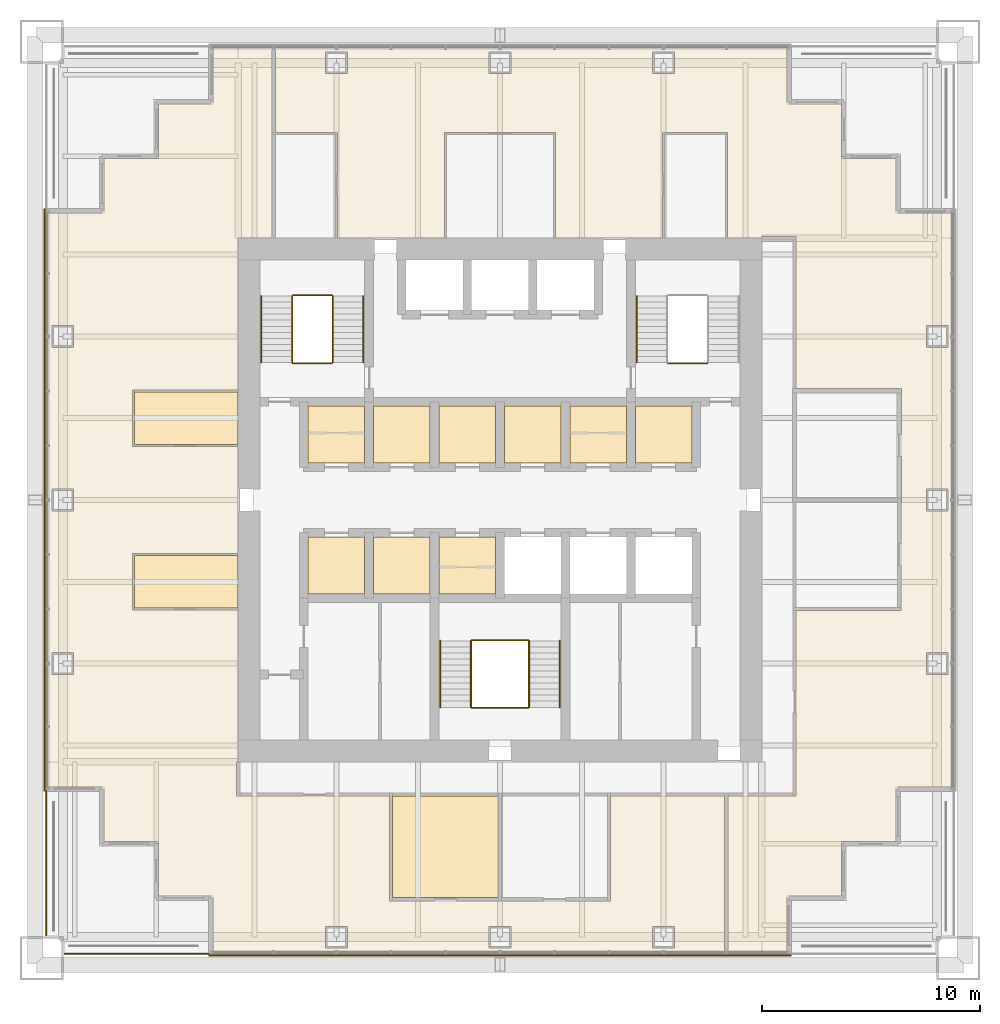
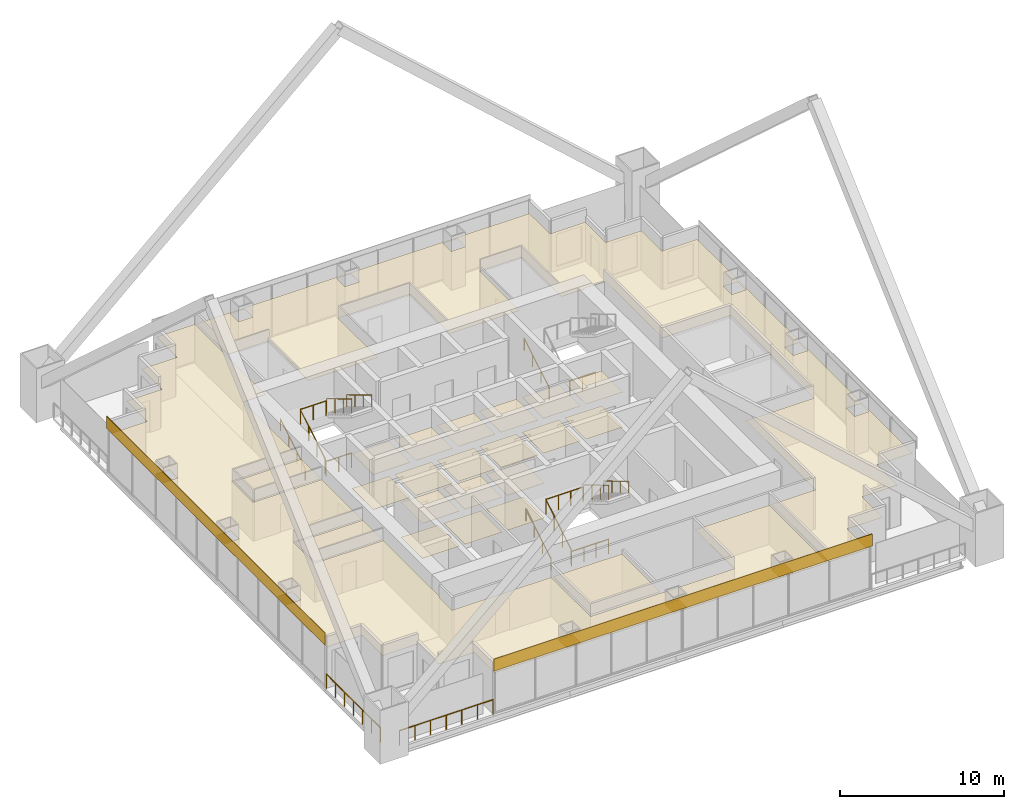
# One storey, part 17 of 18: 25 coverings, 16 railings.
"""IFC4 building model written with IfcOpenShell, lengths in metres."""

from ifc_helpers import new_model, si_unit, direction, frame, origin, origin_2d, place, context, subcontext, project, spatial, polyline, rectangle, circle, outline, extrude, material, layer, layer_set, type_object, element, save


model = new_model("IFC4")

# Units and contexts
model_context = context("Model", 3, precision=1e-05, world=origin(), true_north=direction((0.0, 1.0)))
body_context = subcontext(model_context, "Body", "Model", "MODEL_VIEW")
ifc_project = project(units=[si_unit("LENGTHUNIT", "METRE"), si_unit("AREAUNIT", "SQUARE_METRE"), si_unit("VOLUMEUNIT", "CUBIC_METRE"), si_unit("PLANEANGLEUNIT", "RADIAN"), si_unit("MASSUNIT", "GRAM", prefix="KILO")], contexts=[model_context])

# Site, building, storey
site_placement = place(None, origin())
site = spatial("IfcSite", under=ifc_project, at=site_placement, CompositionType="ELEMENT")
building_placement = place(site_placement, origin())
building = spatial("IfcBuilding", under=site, at=building_placement, Name="Tarangal Relay Tower", CompositionType="ELEMENT")
storey_placement = place(building_placement, frame((0.0, 0.0, 295.89990234375)))
storey = spatial("IfcBuildingStorey", under=building, at=storey_placement, Name="L65", CompositionType="ELEMENT", Elevation=295.89990234375)

# Coverings
ifc_material_1 = material(Name="Anti-static vinyl flooring", Category="plastic")
ifc_layer_1 = layer(ifc_material_1, 0.010009765625)
ifc_layer_set_1 = layer_set([ifc_layer_1], Name="Anti-static vinyl floor")
covering_type_1 = type_object("IfcCoveringType", Name="Anti-static vinyl floor", PredefinedType="FLOORING", material=ifc_layer_set_1)
covering_1_placement = place(storey_placement, origin())
element("IfcCovering", 1, at=covering_1_placement, inside=storey, type_object=covering_type_1, Name="Floor finish FL1 L65-D1", PredefinedType="FLOORING", context=body_context, shape_type="SweptSolid", body=[
    extrude(outline(polyline([(-8.800048828125, 1.699951171875), (-6.199951171875, 1.699951171875), (-6.199951171875, 4.300048828125), (-8.800048828125, 4.300048828125), (-8.800048828125, 1.699951171875)])), origin(), (0.0, 0.0, 1.0), 0.010009765625),
])
covering_2_placement = place(storey_placement, origin())
element("IfcCovering", 2, at=covering_2_placement, inside=storey, type_object=covering_type_1, Name="Floor finish FL1 L65-D2", PredefinedType="FLOORING", context=body_context, shape_type="SweptSolid", body=[
    extrude(outline(polyline([(-5.800048828125, 1.699951171875), (-3.199951171875, 1.699951171875), (-3.199951171875, 4.300048828125), (-5.800048828125, 4.300048828125), (-5.800048828125, 1.699951171875)])), origin(), (0.0, 0.0, 1.0), 0.010009765625),
])
covering_3_placement = place(storey_placement, origin())
element("IfcCovering", 3, at=covering_3_placement, inside=storey, type_object=covering_type_1, Name="Floor finish FL1 L65-D3", PredefinedType="FLOORING", context=body_context, shape_type="SweptSolid", body=[
    extrude(outline(polyline([(-2.800048828125, 1.699951171875), (-0.199951171875, 1.699951171875), (-0.199951171875, 4.300048828125), (-2.800048828125, 4.300048828125), (-2.800048828125, 1.699951171875)])), origin(), (0.0, 0.0, 1.0), 0.010009765625),
])
covering_4_placement = place(storey_placement, origin())
element("IfcCovering", 4, at=covering_4_placement, inside=storey, type_object=covering_type_1, Name="Floor finish FL1 L65-T1", PredefinedType="FLOORING", context=body_context, shape_type="SweptSolid", body=[
    extrude(outline(polyline([(0.199951171875, 1.699951171875), (2.800048828125, 1.699951171875), (2.800048828125, 4.300048828125), (0.199951171875, 4.300048828125), (0.199951171875, 1.699951171875)])), origin(), (0.0, 0.0, 1.0), 0.010009765625),
])
covering_5_placement = place(storey_placement, origin())
element("IfcCovering", 5, at=covering_5_placement, inside=storey, type_object=covering_type_1, Name="Floor finish FL1 L65-T2", PredefinedType="FLOORING", context=body_context, shape_type="SweptSolid", body=[
    extrude(outline(polyline([(3.199951171875, 1.699951171875), (5.800048828125, 1.699951171875), (5.800048828125, 4.300048828125), (3.199951171875, 4.300048828125), (3.199951171875, 1.699951171875)])), origin(), (0.0, 0.0, 1.0), 0.010009765625),
])
covering_6_placement = place(storey_placement, origin())
element("IfcCovering", 6, at=covering_6_placement, inside=storey, type_object=covering_type_1, Name="Floor finish FL1 L65-T3", PredefinedType="FLOORING", context=body_context, shape_type="SweptSolid", body=[
    extrude(outline(polyline([(6.199951171875, 1.699951171875), (8.800048828125, 1.699951171875), (8.800048828125, 4.300048828125), (6.199951171875, 4.300048828125), (6.199951171875, 1.699951171875)])), origin(), (0.0, 0.0, 1.0), 0.010009765625),
])
covering_7_placement = place(storey_placement, origin())
element("IfcCovering", 7, at=covering_7_placement, inside=storey, type_object=covering_type_1, Name="Floor finish FL1 L65-S1", PredefinedType="FLOORING", context=body_context, shape_type="SweptSolid", body=[
    extrude(outline(polyline([(-8.800048828125, -4.300048828125), (-6.199951171875, -4.300048828125), (-6.199951171875, -1.699951171875), (-8.800048828125, -1.699951171875), (-8.800048828125, -4.300048828125)])), origin(), (0.0, 0.0, 1.0), 0.010009765625),
])
covering_8_placement = place(storey_placement, origin())
element("IfcCovering", 8, at=covering_8_placement, inside=storey, type_object=covering_type_1, Name="Floor finish FL1 L65-S2", PredefinedType="FLOORING", context=body_context, shape_type="SweptSolid", body=[
    extrude(outline(polyline([(-5.800048828125, -4.300048828125), (-3.199951171875, -4.300048828125), (-3.199951171875, -1.699951171875), (-5.800048828125, -1.699951171875), (-5.800048828125, -4.300048828125)])), origin(), (0.0, 0.0, 1.0), 0.010009765625),
])
covering_9_placement = place(storey_placement, origin())
element("IfcCovering", 9, at=covering_9_placement, inside=storey, type_object=covering_type_1, Name="Floor finish FL1 L65-S3", PredefinedType="FLOORING", context=body_context, shape_type="SweptSolid", body=[
    extrude(outline(polyline([(-2.800048828125, -4.300048828125), (-0.199951171875, -4.300048828125), (-0.199951171875, -1.699951171875), (-2.800048828125, -1.699951171875), (-2.800048828125, -4.300048828125)])), origin(), (0.0, 0.0, 1.0), 0.010009765625),
])
ifc_material_2 = material(Name="Black anodised aluminium cladding", Category="aluminium")
ifc_layer_2 = layer(ifc_material_2, 0.050048828125)
ifc_layer_set_2 = layer_set([ifc_layer_2], Name="Black metal spandrel band")
covering_type_2 = type_object("IfcCoveringType", Name="Black metal spandrel band", PredefinedType="CLADDING", material=ifc_layer_set_2)
for number, where, z_axis, x_axis, name in (
    (10, (0.0, -20.875, 3.250244140625), (0.0, 0.0, 1.0), (-1.0, 0.0, 0.0), "Spandrel band SB1 S L65"),
    (11, (-20.875, 0.0, 3.250244140625), (0.0, 0.0, 1.0), (0.0, 1.0, 0.0), "Spandrel band SB1 W L65"),
):
    element("IfcCovering", number, at=place(storey_placement, frame(where, z_axis=z_axis, x_axis=x_axis)), inside=storey, type_object=covering_type_2, Name=name, PredefinedType="CLADDING", context=body_context, shape_type="SweptSolid", body=[
        extrude(rectangle(XDim=26.699951171875, YDim=0.050048828125, at=origin_2d()), origin(), (0.0, 0.0, 1.0), 0.89990234375),
    ])

# Railings
ifc_material_3 = material(Name="Steel guard, black finish", Category="steel")
railing_type_1 = type_object("IfcRailingType", Name="Stair guard 1100", PredefinedType="GUARDRAIL", material=ifc_material_3)
railing_1_placement = place(storey_placement, frame((-9.530029296875, 6.300048828125, 0.166748046875)))
element("IfcRailing", 12, at=railing_1_placement, inside=storey, type_object=railing_type_1, Name="Stair ST-A guard GR1 L65 flight 1", PredefinedType="GUARDRAIL", context=body_context, shape_type="SweptSolid", body=[
    extrude(circle(Radius=0.02392578125, at=origin_2d()), frame((0.0, 0.0, 1.076171875), z_axis=(0.0, 0.85685617095, 0.515555527858), x_axis=(-1.0, 0.0, 0.0)), (0.0, 0.0, 1.0), 3.555908203125),
    extrude(circle(Radius=0.02099609375, at=origin_2d()), origin(), (0.0, 0.0, 1.0), 1.052001953125),
    extrude(circle(Radius=0.02099609375, at=origin_2d()), frame((0.0, 1.015625, 0.611083984375)), (0.0, 0.0, 1.0), 1.052001953125),
    extrude(circle(Radius=0.02099609375, at=origin_2d()), frame((0.0, 2.03125, 1.22216796875)), (0.0, 0.0, 1.0), 1.052001953125),
    extrude(circle(Radius=0.02099609375, at=origin_2d()), frame((0.0, 3.046875, 1.833251953125)), (0.0, 0.0, 1.0), 1.052001953125),
])
railing_2_placement = place(storey_placement, frame((-7.669921875, 9.346923828125, 2.166748046875)))
element("IfcRailing", 13, at=railing_2_placement, inside=storey, type_object=railing_type_1, Name="Stair ST-A guard GR1 L65 flight 2", PredefinedType="GUARDRAIL", context=body_context, shape_type="SweptSolid", body=[
    extrude(circle(Radius=0.02392578125, at=origin_2d()), frame((0.0, 0.0, 1.076171875), z_axis=(0.0, -0.85685617095, 0.515555527858), x_axis=(1.0, 0.0, 0.0)), (0.0, 0.0, 1.0), 3.555908203125),
    extrude(circle(Radius=0.02099609375, at=origin_2d()), origin(), (0.0, 0.0, 1.0), 1.052001953125),
    extrude(circle(Radius=0.02099609375, at=origin_2d()), frame((0.0, -1.015625, 0.611083984375)), (0.0, 0.0, 1.0), 1.052001953125),
    extrude(circle(Radius=0.02099609375, at=origin_2d()), frame((0.0, -2.03125, 1.22216796875)), (0.0, 0.0, 1.0), 1.052001953125),
    extrude(circle(Radius=0.02099609375, at=origin_2d()), frame((0.0, -3.046875, 1.833251953125)), (0.0, 0.0, 1.0), 1.052001953125),
])
for number, where, name in (
    (14, (-9.5, 6.27001953125, 0.0), "Stair ST-A landing guard GR1 L65"),
    (15, (-9.5, 9.376953125, 2.0), "Stair ST-A landing guard GR1 L65"),
    (16, (7.699951171875, 6.27001953125, 0.0), "Stair ST-B landing guard GR1 L65"),
):
    element("IfcRailing", number, at=place(storey_placement, frame(where)), inside=storey, type_object=railing_type_1, Name=name, PredefinedType="GUARDRAIL", context=body_context, shape_type="SweptSolid", body=[
        extrude(circle(Radius=0.02392578125, at=origin_2d()), frame((0.0, 0.0, 1.076171875), z_axis=(1.0, 0.0, 0.0), x_axis=(0.0, 1.0, 0.0)), (0.0, 0.0, 1.0), 1.800048828125),
        extrude(circle(Radius=0.02099609375, at=origin_2d()), origin(), (0.0, 0.0, 1.0), 1.052001953125),
        extrude(circle(Radius=0.02099609375, at=origin_2d()), frame((0.89990234375, 0.0, 0.0)), (0.0, 0.0, 1.0), 1.052001953125),
        extrude(circle(Radius=0.02099609375, at=origin_2d()), frame((1.800048828125, 0.0, 0.0)), (0.0, 0.0, 1.0), 1.052001953125),
    ])
railing_3_placement = place(storey_placement, frame((-1.330078125, -9.5, 0.166748046875)))
element("IfcRailing", 17, at=railing_3_placement, inside=storey, type_object=railing_type_1, Name="Stair ST-C guard GR1 L65 flight 1", PredefinedType="GUARDRAIL", context=body_context, shape_type="SweptSolid", body=[
    extrude(circle(Radius=0.02392578125, at=origin_2d()), frame((0.0, 0.0, 1.076171875), z_axis=(0.0, 0.856874418557, 0.515525199018), x_axis=(-1.0, 0.0, 0.0)), (0.0, 0.0, 1.0), 3.55615234375),
    extrude(circle(Radius=0.02099609375, at=origin_2d()), origin(), (0.0, 0.0, 1.0), 1.052001953125),
    extrude(circle(Radius=0.02099609375, at=origin_2d()), frame((0.0, 1.015625, 0.611083984375)), (0.0, 0.0, 1.0), 1.052001953125),
    extrude(circle(Radius=0.02099609375, at=origin_2d()), frame((0.0, 2.031494140625, 1.22216796875)), (0.0, 0.0, 1.0), 1.052001953125),
    extrude(circle(Radius=0.02099609375, at=origin_2d()), frame((0.0, 3.047119140625, 1.833251953125)), (0.0, 0.0, 1.0), 1.052001953125),
])
railing_4_placement = place(storey_placement, frame((1.330078125, -6.452880859375, 2.166748046875)))
element("IfcRailing", 18, at=railing_4_placement, inside=storey, type_object=railing_type_1, Name="Stair ST-C guard GR1 L65 flight 2", PredefinedType="GUARDRAIL", context=body_context, shape_type="SweptSolid", body=[
    extrude(circle(Radius=0.02392578125, at=origin_2d()), frame((0.0, 0.0, 1.076171875), z_axis=(0.0, -0.856874418557, 0.515525199018), x_axis=(1.0, 0.0, 0.0)), (0.0, 0.0, 1.0), 3.55615234375),
    extrude(circle(Radius=0.02099609375, at=origin_2d()), origin(), (0.0, 0.0, 1.0), 1.052001953125),
    extrude(circle(Radius=0.02099609375, at=origin_2d()), frame((0.0, -1.015625, 0.611083984375)), (0.0, 0.0, 1.0), 1.052001953125),
    extrude(circle(Radius=0.02099609375, at=origin_2d()), frame((0.0, -2.031494140625, 1.22216796875)), (0.0, 0.0, 1.0), 1.052001953125),
    extrude(circle(Radius=0.02099609375, at=origin_2d()), frame((0.0, -3.047119140625, 1.833251953125)), (0.0, 0.0, 1.0), 1.052001953125),
])
for number, where, name in (
    (19, (-1.300048828125, -9.530029296875, 0.0), "Stair ST-C landing guard GR1 L65"),
    (20, (-1.300048828125, -6.423095703125, 2.0), "Stair ST-C landing guard GR1 L65"),
):
    element("IfcRailing", number, at=place(storey_placement, frame(where)), inside=storey, type_object=railing_type_1, Name=name, PredefinedType="GUARDRAIL", context=body_context, shape_type="SweptSolid", body=[
        extrude(circle(Radius=0.02392578125, at=origin_2d()), frame((0.0, 0.0, 1.076171875), z_axis=(1.0, 0.0, 0.0), x_axis=(0.0, 1.0, 0.0)), (0.0, 0.0, 1.0), 2.60009765625),
        extrude(circle(Radius=0.02099609375, at=origin_2d()), origin(), (0.0, 0.0, 1.0), 1.052001953125),
        extrude(circle(Radius=0.02099609375, at=origin_2d()), frame((0.86669921875, 0.0, 0.0)), (0.0, 0.0, 1.0), 1.052001953125),
        extrude(circle(Radius=0.02099609375, at=origin_2d()), frame((1.7333984375, 0.0, 0.0)), (0.0, 0.0, 1.0), 1.052001953125),
        extrude(circle(Radius=0.02099609375, at=origin_2d()), frame((2.60009765625, 0.0, 0.0)), (0.0, 0.0, 1.0), 1.052001953125),
    ])
ifc_material_4 = material(Name="Steel handrail, black finish", Category="steel")
railing_type_2 = type_object("IfcRailingType", Name="Stair handrail 900", PredefinedType="HANDRAIL", material=ifc_material_4)
railing_5_placement = place(storey_placement, frame((-10.93994140625, 6.300048828125, 0.166748046875)))
element("IfcRailing", 21, at=railing_5_placement, inside=storey, type_object=railing_type_2, Name="Stair ST-A handrail HR1 L65 flight 1", PredefinedType="HANDRAIL", context=body_context, shape_type="SweptSolid", body=[
    extrude(circle(Radius=0.02392578125, at=origin_2d()), frame((0.0, 0.0, 0.8759765625), z_axis=(0.0, 0.85685617095, 0.515555527858), x_axis=(-1.0, 0.0, 0.0)), (0.0, 0.0, 1.0), 3.555908203125),
    extrude(circle(Radius=0.02099609375, at=origin_2d()), origin(), (0.0, 0.0, 1.0), 0.851806640625),
    extrude(circle(Radius=0.02099609375, at=origin_2d()), frame((0.0, 1.015625, 0.611083984375)), (0.0, 0.0, 1.0), 0.851806640625),
    extrude(circle(Radius=0.02099609375, at=origin_2d()), frame((0.0, 2.03125, 1.22216796875)), (0.0, 0.0, 1.0), 0.851806640625),
    extrude(circle(Radius=0.02099609375, at=origin_2d()), frame((0.0, 3.046875, 1.833251953125)), (0.0, 0.0, 1.0), 0.851806640625),
])
railing_6_placement = place(storey_placement, frame((-6.260009765625, 9.346923828125, 2.166748046875)))
element("IfcRailing", 22, at=railing_6_placement, inside=storey, type_object=railing_type_2, Name="Stair ST-A handrail HR1 L65 flight 2", PredefinedType="HANDRAIL", context=body_context, shape_type="SweptSolid", body=[
    extrude(circle(Radius=0.02392578125, at=origin_2d()), frame((0.0, 0.0, 0.8759765625), z_axis=(0.0, -0.85685617095, 0.515555527858), x_axis=(1.0, 0.0, 0.0)), (0.0, 0.0, 1.0), 3.555908203125),
    extrude(circle(Radius=0.02099609375, at=origin_2d()), origin(), (0.0, 0.0, 1.0), 0.851806640625),
    extrude(circle(Radius=0.02099609375, at=origin_2d()), frame((0.0, -1.015625, 0.611083984375)), (0.0, 0.0, 1.0), 0.851806640625),
    extrude(circle(Radius=0.02099609375, at=origin_2d()), frame((0.0, -2.03125, 1.22216796875)), (0.0, 0.0, 1.0), 0.851806640625),
    extrude(circle(Radius=0.02099609375, at=origin_2d()), frame((0.0, -3.046875, 1.833251953125)), (0.0, 0.0, 1.0), 0.851806640625),
])
railing_7_placement = place(storey_placement, frame((6.260009765625, 6.300048828125, 0.166748046875)))
element("IfcRailing", 23, at=railing_7_placement, inside=storey, type_object=railing_type_2, Name="Stair ST-B handrail HR1 L65 flight 1", PredefinedType="HANDRAIL", context=body_context, shape_type="SweptSolid", body=[
    extrude(circle(Radius=0.02392578125, at=origin_2d()), frame((0.0, 0.0, 0.8759765625), z_axis=(0.0, 0.85685617095, 0.515555527858), x_axis=(-1.0, 0.0, 0.0)), (0.0, 0.0, 1.0), 3.555908203125),
    extrude(circle(Radius=0.02099609375, at=origin_2d()), origin(), (0.0, 0.0, 1.0), 0.851806640625),
    extrude(circle(Radius=0.02099609375, at=origin_2d()), frame((0.0, 1.015625, 0.611083984375)), (0.0, 0.0, 1.0), 0.851806640625),
    extrude(circle(Radius=0.02099609375, at=origin_2d()), frame((0.0, 2.03125, 1.22216796875)), (0.0, 0.0, 1.0), 0.851806640625),
    extrude(circle(Radius=0.02099609375, at=origin_2d()), frame((0.0, 3.046875, 1.833251953125)), (0.0, 0.0, 1.0), 0.851806640625),
])
railing_8_placement = place(storey_placement, frame((-2.739990234375, -9.5, 0.166748046875)))
element("IfcRailing", 24, at=railing_8_placement, inside=storey, type_object=railing_type_2, Name="Stair ST-C handrail HR1 L65 flight 1", PredefinedType="HANDRAIL", context=body_context, shape_type="SweptSolid", body=[
    extrude(circle(Radius=0.02392578125, at=origin_2d()), frame((0.0, 0.0, 0.8759765625), z_axis=(0.0, 0.856874418557, 0.515525199018), x_axis=(-1.0, 0.0, 0.0)), (0.0, 0.0, 1.0), 3.55615234375),
    extrude(circle(Radius=0.02099609375, at=origin_2d()), origin(), (0.0, 0.0, 1.0), 0.851806640625),
    extrude(circle(Radius=0.02099609375, at=origin_2d()), frame((0.0, 1.015625, 0.611083984375)), (0.0, 0.0, 1.0), 0.851806640625),
    extrude(circle(Radius=0.02099609375, at=origin_2d()), frame((0.0, 2.031494140625, 1.22216796875)), (0.0, 0.0, 1.0), 0.851806640625),
    extrude(circle(Radius=0.02099609375, at=origin_2d()), frame((0.0, 3.047119140625, 1.833251953125)), (0.0, 0.0, 1.0), 0.851806640625),
])
railing_9_placement = place(storey_placement, frame((2.739990234375, -6.452880859375, 2.166748046875)))
element("IfcRailing", 25, at=railing_9_placement, inside=storey, type_object=railing_type_2, Name="Stair ST-C handrail HR1 L65 flight 2", PredefinedType="HANDRAIL", context=body_context, shape_type="SweptSolid", body=[
    extrude(circle(Radius=0.02392578125, at=origin_2d()), frame((0.0, 0.0, 0.8759765625), z_axis=(0.0, -0.856874418557, 0.515525199018), x_axis=(1.0, 0.0, 0.0)), (0.0, 0.0, 1.0), 3.55615234375),
    extrude(circle(Radius=0.02099609375, at=origin_2d()), origin(), (0.0, 0.0, 1.0), 0.851806640625),
    extrude(circle(Radius=0.02099609375, at=origin_2d()), frame((0.0, -1.015625, 0.611083984375)), (0.0, 0.0, 1.0), 0.851806640625),
    extrude(circle(Radius=0.02099609375, at=origin_2d()), frame((0.0, -2.031494140625, 1.22216796875)), (0.0, 0.0, 1.0), 0.851806640625),
    extrude(circle(Radius=0.02099609375, at=origin_2d()), frame((0.0, -3.047119140625, 1.833251953125)), (0.0, 0.0, 1.0), 0.851806640625),
])

# Coverings
ifc_material_5 = material(Name="Mineral fibre ceiling tiles", Category="gypsum")
ifc_layer_3 = layer(ifc_material_5, 0.02001953125)
ifc_layer_set_3 = layer_set([ifc_layer_3], Name="Suspended ceiling")
covering_type_3 = type_object("IfcCoveringType", Name="Suspended ceiling", PredefinedType="CEILING", material=ifc_layer_set_3)
covering_10_placement = place(storey_placement, frame((0.0, 0.0, 2.60009765625)))
element("IfcCovering", 26, at=covering_10_placement, inside=storey, type_object=covering_type_3, Name="Suspended ceiling CL1 L65-D1", PredefinedType="CEILING", context=body_context, shape_type="SweptSolid", body=[
    extrude(outline(polyline([(-8.800048828125, 1.699951171875), (-6.199951171875, 1.699951171875), (-6.199951171875, 4.300048828125), (-8.800048828125, 4.300048828125), (-8.800048828125, 1.699951171875)])), origin(), (0.0, 0.0, 1.0), 0.02001953125),
])
covering_11_placement = place(storey_placement, frame((0.0, 0.0, 2.60009765625)))
element("IfcCovering", 27, at=covering_11_placement, inside=storey, type_object=covering_type_3, Name="Suspended ceiling CL1 L65-D2", PredefinedType="CEILING", context=body_context, shape_type="SweptSolid", body=[
    extrude(outline(polyline([(-5.800048828125, 1.699951171875), (-3.199951171875, 1.699951171875), (-3.199951171875, 4.300048828125), (-5.800048828125, 4.300048828125), (-5.800048828125, 1.699951171875)])), origin(), (0.0, 0.0, 1.0), 0.02001953125),
])
covering_12_placement = place(storey_placement, frame((0.0, 0.0, 2.60009765625)))
element("IfcCovering", 28, at=covering_12_placement, inside=storey, type_object=covering_type_3, Name="Suspended ceiling CL1 L65-D3", PredefinedType="CEILING", context=body_context, shape_type="SweptSolid", body=[
    extrude(outline(polyline([(-2.800048828125, 1.699951171875), (-0.199951171875, 1.699951171875), (-0.199951171875, 4.300048828125), (-2.800048828125, 4.300048828125), (-2.800048828125, 1.699951171875)])), origin(), (0.0, 0.0, 1.0), 0.02001953125),
])
covering_13_placement = place(storey_placement, frame((0.0, 0.0, 2.60009765625)))
element("IfcCovering", 29, at=covering_13_placement, inside=storey, type_object=covering_type_3, Name="Suspended ceiling CL1 L65-T1", PredefinedType="CEILING", context=body_context, shape_type="SweptSolid", body=[
    extrude(outline(polyline([(0.199951171875, 1.699951171875), (2.800048828125, 1.699951171875), (2.800048828125, 4.300048828125), (0.199951171875, 4.300048828125), (0.199951171875, 1.699951171875)])), origin(), (0.0, 0.0, 1.0), 0.02001953125),
])
covering_14_placement = place(storey_placement, frame((0.0, 0.0, 2.60009765625)))
element("IfcCovering", 30, at=covering_14_placement, inside=storey, type_object=covering_type_3, Name="Suspended ceiling CL1 L65-T2", PredefinedType="CEILING", context=body_context, shape_type="SweptSolid", body=[
    extrude(outline(polyline([(3.199951171875, 1.699951171875), (5.800048828125, 1.699951171875), (5.800048828125, 4.300048828125), (3.199951171875, 4.300048828125), (3.199951171875, 1.699951171875)])), origin(), (0.0, 0.0, 1.0), 0.02001953125),
])
covering_15_placement = place(storey_placement, frame((0.0, 0.0, 2.60009765625)))
element("IfcCovering", 31, at=covering_15_placement, inside=storey, type_object=covering_type_3, Name="Suspended ceiling CL1 L65-T3", PredefinedType="CEILING", context=body_context, shape_type="SweptSolid", body=[
    extrude(outline(polyline([(6.199951171875, 1.699951171875), (8.800048828125, 1.699951171875), (8.800048828125, 4.300048828125), (6.199951171875, 4.300048828125), (6.199951171875, 1.699951171875)])), origin(), (0.0, 0.0, 1.0), 0.02001953125),
])
covering_16_placement = place(storey_placement, frame((0.0, 0.0, 2.60009765625)))
element("IfcCovering", 32, at=covering_16_placement, inside=storey, type_object=covering_type_3, Name="Suspended ceiling CL1 L65-S1", PredefinedType="CEILING", context=body_context, shape_type="SweptSolid", body=[
    extrude(outline(polyline([(-8.800048828125, -4.300048828125), (-6.199951171875, -4.300048828125), (-6.199951171875, -1.699951171875), (-8.800048828125, -1.699951171875), (-8.800048828125, -4.300048828125)])), origin(), (0.0, 0.0, 1.0), 0.02001953125),
])
covering_17_placement = place(storey_placement, frame((0.0, 0.0, 2.60009765625)))
element("IfcCovering", 33, at=covering_17_placement, inside=storey, type_object=covering_type_3, Name="Suspended ceiling CL1 L65-S2", PredefinedType="CEILING", context=body_context, shape_type="SweptSolid", body=[
    extrude(outline(polyline([(-5.800048828125, -4.300048828125), (-3.199951171875, -4.300048828125), (-3.199951171875, -1.699951171875), (-5.800048828125, -1.699951171875), (-5.800048828125, -4.300048828125)])), origin(), (0.0, 0.0, 1.0), 0.02001953125),
])
covering_18_placement = place(storey_placement, frame((0.0, 0.0, 2.60009765625)))
element("IfcCovering", 34, at=covering_18_placement, inside=storey, type_object=covering_type_3, Name="Suspended ceiling CL1 L65-S3", PredefinedType="CEILING", context=body_context, shape_type="SweptSolid", body=[
    extrude(outline(polyline([(-2.800048828125, -4.300048828125), (-0.199951171875, -4.300048828125), (-0.199951171875, -1.699951171875), (-2.800048828125, -1.699951171875), (-2.800048828125, -4.300048828125)])), origin(), (0.0, 0.0, 1.0), 0.02001953125),
])
covering_19_placement = place(storey_placement, frame((0.0, 0.0, 2.900146484375)))
element("IfcCovering", 35, at=covering_19_placement, inside=storey, type_object=covering_type_3, Name="Suspended ceiling CL1 L65-08", PredefinedType="CEILING", context=body_context, shape_type="SweptSolid", body=[
    extrude(outline(polyline([(-0.074951171875, -13.574951171875), (-4.925048828125, -13.574951171875), (-4.925048828125, -18.22509765625), (-0.074951171875, -18.22509765625), (-0.074951171875, -13.574951171875)])), origin(), (0.0, 0.0, 1.0), 0.02001953125),
])
covering_20_placement = place(storey_placement, frame((0.0, 0.0, 2.900146484375)))
element("IfcCovering", 36, at=covering_20_placement, inside=storey, type_object=covering_type_3, Name="Suspended ceiling CL1 L65-09", PredefinedType="CEILING", context=body_context, shape_type="SweptSolid", body=[
    extrude(outline(polyline([(-12.0, -2.550048828125), (-16.75, -2.550048828125), (-16.75, -4.949951171875), (-12.0, -4.949951171875), (-12.0, -2.550048828125)])), origin(), (0.0, 0.0, 1.0), 0.02001953125),
])
covering_21_placement = place(storey_placement, frame((0.0, 0.0, 2.900146484375)))
element("IfcCovering", 37, at=covering_21_placement, inside=storey, type_object=covering_type_3, Name="Suspended ceiling CL1 L65-10", PredefinedType="CEILING", context=body_context, shape_type="SweptSolid", body=[
    extrude(outline(polyline([(-12.0, 4.949951171875), (-16.75, 4.949951171875), (-16.75, 2.550048828125), (-12.0, 2.550048828125), (-12.0, 4.949951171875)])), origin(), (0.0, 0.0, 1.0), 0.02001953125),
])
covering_22_placement = place(storey_placement, frame((0.0, 0.0, 2.900146484375)))
element("IfcCovering", 38, at=covering_22_placement, inside=storey, type_object=covering_type_3, Name="Suspended ceiling CL1 L65-11", PredefinedType="CEILING", context=body_context, shape_type="SweptSolid", body=[
    extrude(outline(polyline([(7.449951171875, 12.0), (7.449951171875, 16.85009765625), (10.425048828125, 16.85009765625), (10.425048828125, 12.0), (12.0, 12.0), (12.0, 12.074951171875), (13.574951171875, 12.074951171875), (13.574951171875, 5.10009765625), (18.39990234375, 5.10009765625), (18.39990234375, -0.10009765625), (18.375, -0.10009765625), (18.375, -5.074951171875), (13.574951171875, -5.074951171875), (13.574951171875, -13.574951171875), (10.449951171875, -13.574951171875), (10.449951171875, -20.64990234375), (13.14990234375, -20.64990234375), (13.14990234375, -18.14990234375), (15.64990234375, -18.14990234375), (15.64990234375, -15.64990234375), (18.14990234375, -15.64990234375), (18.14990234375, -13.14990234375), (20.64990234375, -13.14990234375), (20.64990234375, 13.14990234375), (18.14990234375, 13.14990234375), (18.14990234375, 15.64990234375), (15.64990234375, 15.64990234375), (15.64990234375, 18.14990234375), (13.14990234375, 18.14990234375), (13.14990234375, 20.64990234375), (-10.300048828125, 20.64990234375), (-10.300048828125, 16.85009765625), (-7.449951171875, 16.85009765625), (-7.449951171875, 12.0), (-2.550048828125, 12.0), (-2.550048828125, 16.85009765625), (2.550048828125, 16.85009765625), (2.550048828125, 12.0), (7.449951171875, 12.0)]), holes=[polyline([(19.5400390625, -8.0), (20.5400390625, -8.0), (20.5400390625, -7.0), (19.5400390625, -7.0), (19.5400390625, -8.0)]), polyline([(19.5400390625, 0.5), (19.5400390625, -0.5), (20.5400390625, -0.5), (20.5400390625, 0.5), (19.5400390625, 0.5)]), polyline([(19.5400390625, 8.0), (19.5400390625, 7.0), (20.5400390625, 7.0), (20.5400390625, 8.0), (19.5400390625, 8.0)]), polyline([(-8.0, 19.5400390625), (-7.0, 19.5400390625), (-7.0, 20.5400390625), (-8.0, 20.5400390625), (-8.0, 19.5400390625)]), polyline([(-0.5, 20.5400390625), (-0.5, 19.5400390625), (0.5, 19.5400390625), (0.5, 20.5400390625), (-0.5, 20.5400390625)]), polyline([(7.0, 20.5400390625), (7.0, 19.5400390625), (8.0, 19.5400390625), (8.0, 20.5400390625), (7.0, 20.5400390625)])]), origin(), (0.0, 0.0, 1.0), 0.02001953125),
])
covering_23_placement = place(storey_placement, frame((0.0, 0.0, 2.900146484375)))
element("IfcCovering", 39, at=covering_23_placement, inside=storey, type_object=covering_type_3, Name="Suspended ceiling CL1 L65-12", PredefinedType="CEILING", context=body_context, shape_type="SweptSolid", body=[
    extrude(outline(polyline([(-12.0, 12.0), (-10.449951171875, 12.0), (-10.449951171875, 20.64990234375), (-13.14990234375, 20.64990234375), (-13.14990234375, 18.14990234375), (-15.64990234375, 18.14990234375), (-15.64990234375, 15.64990234375), (-18.14990234375, 15.64990234375), (-18.14990234375, 13.14990234375), (-20.64990234375, 13.14990234375), (-20.64990234375, -13.14990234375), (-18.14990234375, -13.14990234375), (-18.14990234375, -15.64990234375), (-15.64990234375, -15.64990234375), (-15.64990234375, -18.14990234375), (-13.14990234375, -18.14990234375), (-13.14990234375, -20.64990234375), (10.300048828125, -20.64990234375), (10.300048828125, -13.574951171875), (5.074951171875, -13.574951171875), (5.074951171875, -18.375), (-5.074951171875, -18.375), (-5.074951171875, -13.574951171875), (-12.074951171875, -13.574951171875), (-12.074951171875, -12.0), (-12.0, -12.0), (-12.0, -5.050048828125), (-16.85009765625, -5.050048828125), (-16.85009765625, -2.449951171875), (-12.0, -2.449951171875), (-12.0, 2.449951171875), (-16.85009765625, 2.449951171875), (-16.85009765625, 5.050048828125), (-12.0, 5.050048828125), (-12.0, 12.0)]), holes=[polyline([(-8.0, -20.5400390625), (-7.0, -20.5400390625), (-7.0, -19.5400390625), (-8.0, -19.5400390625), (-8.0, -20.5400390625)]), polyline([(-0.5, -19.5400390625), (-0.5, -20.5400390625), (0.5, -20.5400390625), (0.5, -19.5400390625), (-0.5, -19.5400390625)]), polyline([(7.0, -19.5400390625), (7.0, -20.5400390625), (8.0, -20.5400390625), (8.0, -19.5400390625), (7.0, -19.5400390625)]), polyline([(-20.5400390625, -8.0), (-19.5400390625, -8.0), (-19.5400390625, -7.0), (-20.5400390625, -7.0), (-20.5400390625, -8.0)]), polyline([(-20.5400390625, 0.5), (-20.5400390625, -0.5), (-19.5400390625, -0.5), (-19.5400390625, 0.5), (-20.5400390625, 0.5)]), polyline([(-20.5400390625, 8.0), (-20.5400390625, 7.0), (-19.5400390625, 7.0), (-19.5400390625, 8.0), (-20.5400390625, 8.0)])]), origin(), (0.0, 0.0, 1.0), 0.02001953125),
])

# Railings
ifc_material_6 = material(Name="Black steel guard with glass infill", Category="steel")
railing_type_3 = type_object("IfcRailingType", Name="Terrace guard 1100", PredefinedType="GUARDRAIL", material=ifc_material_6)
railing_10_placement = place(storey_placement, frame((-13.35009765625, -20.800048828125, 0.0)))
element("IfcRailing", 40, at=railing_10_placement, inside=storey, type_object=railing_type_3, Name="Terrace guard GR2 SW L65", PredefinedType="GUARDRAIL", context=body_context, shape_type="SweptSolid", body=[
    extrude(circle(Radius=0.02392578125, at=origin_2d()), frame((0.0, 0.0, 1.076171875), z_axis=(-1.0, 0.0, 0.0), x_axis=(0.0, -1.0, 0.0)), (0.0, 0.0, 1.0), 6.599853515625),
    extrude(circle(Radius=0.02099609375, at=origin_2d()), origin(), (0.0, 0.0, 1.0), 1.052001953125),
    extrude(circle(Radius=0.02099609375, at=origin_2d()), frame((-1.10009765625, 0.0, 0.0)), (0.0, 0.0, 1.0), 1.052001953125),
    extrude(circle(Radius=0.02099609375, at=origin_2d()), frame((-2.199951171875, 0.0, 0.0)), (0.0, 0.0, 1.0), 1.052001953125),
    extrude(circle(Radius=0.02099609375, at=origin_2d()), frame((-3.2998046875, 0.0, 0.0)), (0.0, 0.0, 1.0), 1.052001953125),
    extrude(circle(Radius=0.02099609375, at=origin_2d()), frame((-4.39990234375, 0.0, 0.0)), (0.0, 0.0, 1.0), 1.052001953125),
    extrude(circle(Radius=0.02099609375, at=origin_2d()), frame((-5.5, 0.0, 0.0)), (0.0, 0.0, 1.0), 1.052001953125),
    extrude(circle(Radius=0.02099609375, at=origin_2d()), frame((-6.599853515625, 0.0, 0.0)), (0.0, 0.0, 1.0), 1.052001953125),
])
railing_11_placement = place(storey_placement, frame((-20.800048828125, -19.949951171875, 0.0)))
element("IfcRailing", 41, at=railing_11_placement, inside=storey, type_object=railing_type_3, Name="Terrace guard GR2 SW L65", PredefinedType="GUARDRAIL", context=body_context, shape_type="SweptSolid", body=[
    extrude(circle(Radius=0.02392578125, at=origin_2d()), frame((0.0, 0.0, 1.076171875), z_axis=(0.0, 1.0, 0.0), x_axis=(-1.0, 0.0, 0.0)), (0.0, 0.0, 1.0), 6.599853515625),
    extrude(circle(Radius=0.02099609375, at=origin_2d()), origin(), (0.0, 0.0, 1.0), 1.052001953125),
    extrude(circle(Radius=0.02099609375, at=origin_2d()), frame((0.0, 1.10009765625, 0.0)), (0.0, 0.0, 1.0), 1.052001953125),
    extrude(circle(Radius=0.02099609375, at=origin_2d()), frame((0.0, 2.199951171875, 0.0)), (0.0, 0.0, 1.0), 1.052001953125),
    extrude(circle(Radius=0.02099609375, at=origin_2d()), frame((0.0, 3.2998046875, 0.0)), (0.0, 0.0, 1.0), 1.052001953125),
    extrude(circle(Radius=0.02099609375, at=origin_2d()), frame((0.0, 4.39990234375, 0.0)), (0.0, 0.0, 1.0), 1.052001953125),
    extrude(circle(Radius=0.02099609375, at=origin_2d()), frame((0.0, 5.5, 0.0)), (0.0, 0.0, 1.0), 1.052001953125),
    extrude(circle(Radius=0.02099609375, at=origin_2d()), frame((0.0, 6.599853515625, 0.0)), (0.0, 0.0, 1.0), 1.052001953125),
])

save(model, "model.ifc")
